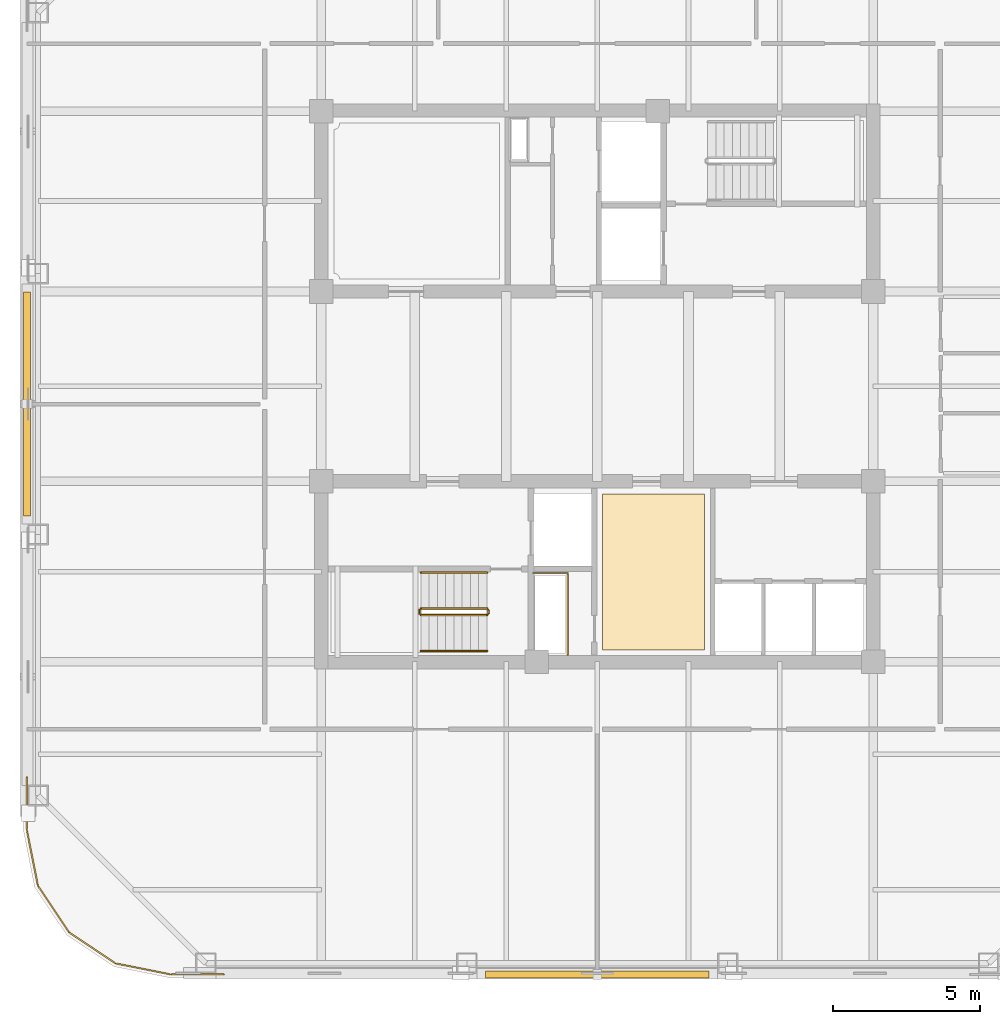
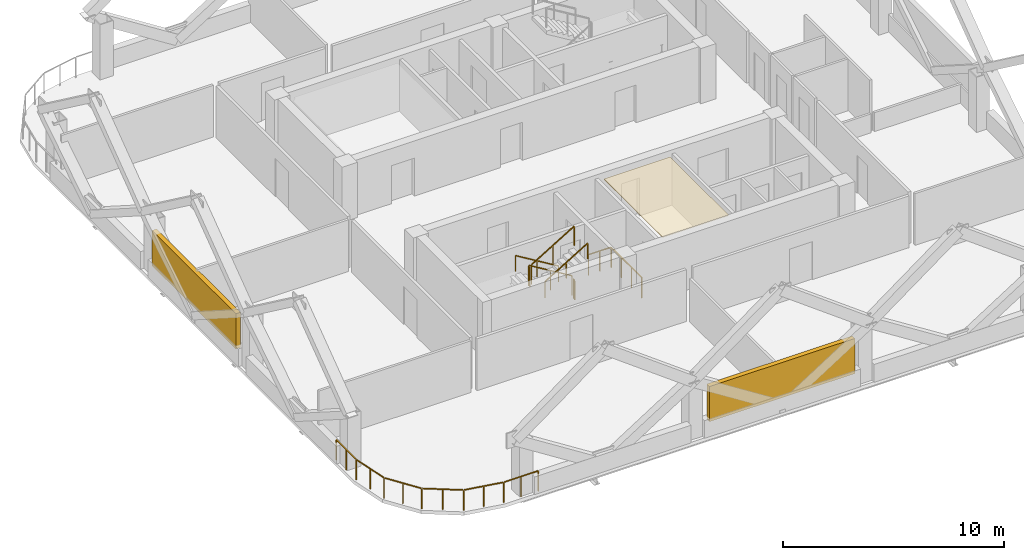
# One storey, part 6 of 8: 8 railings, 2 shading devices, 1 covering.
"""IFC4 building model written with IfcOpenShell, lengths in metres."""

from ifc_helpers import new_model, si_unit, direction, frame, origin, origin_2d, place, context, subcontext, project, spatial, polyline, rectangle, outline, extrude, material, layer, layer_set, type_object, element, save


model = new_model("IFC4")

# Units and contexts
model_context = context("Model", 3, precision=1e-05, world=origin(), true_north=direction((0.0, 1.0)))
body_context = subcontext(model_context, "Body", "Model", "MODEL_VIEW")
ifc_project = project(units=[si_unit("LENGTHUNIT", "METRE"), si_unit("AREAUNIT", "SQUARE_METRE"), si_unit("VOLUMEUNIT", "CUBIC_METRE"), si_unit("PLANEANGLEUNIT", "RADIAN"), si_unit("MASSUNIT", "GRAM", prefix="KILO")], contexts=[model_context])

# Site, building, storey
site_placement = place(None, origin())
site = spatial("IfcSite", under=ifc_project, at=site_placement, CompositionType="ELEMENT")
building_placement = place(site_placement, origin())
building = spatial("IfcBuilding", under=site, at=building_placement, Name="Qhalaya Broadcast Tower", CompositionType="ELEMENT")
storey_placement = place(building_placement, frame((0.0, 0.0, 223.89990234375)))
storey = spatial("IfcBuildingStorey", under=building, at=storey_placement, Name="L66", CompositionType="ELEMENT", Elevation=223.89990234375)

# Covering
ifc_material_1 = material(Name="Acoustic Mineral-Fibre Ceiling")
ifc_layer = layer(ifc_material_1, 0.0400390625, Name="Acoustic Mineral-Fibre Ceiling")
ifc_layer_set = layer_set([ifc_layer], Name="Acoustic Mineral-Fibre Ceiling")
covering_type = type_object("IfcCoveringType", Name="Acoustic Mineral-Fibre Suspended Ceiling CLG-01", PredefinedType="CEILING", material=ifc_layer_set)
covering_placement = place(storey_placement, frame((0.0, 0.0, 2.820068359375)))
element("IfcCovering", 1, at=covering_placement, inside=storey, type_object=covering_type, Name="L66 Acoustic Suspended Ceiling 02", PredefinedType="CEILING", context=body_context, shape_type="SweptSolid", body=[
    extrude(outline(polyline([(0.179931640625, -3.050048828125), (0.179931640625, -8.35009765625), (3.639892578125, -8.35009765625), (3.639892578125, -3.050048828125), (0.179931640625, -3.050048828125)])), origin(), (0.0, 0.0, 1.0), 0.0400390625),
])

# Railings
ifc_material_2 = material(Name="Powder-Coated Galvanised Steel", Category="steel")
railing_type_1 = type_object("IfcRailingType", Name="Stair Wall Handrail 900", PredefinedType="HANDRAIL", material=ifc_material_2)
railing_1_placement = place(storey_placement, frame((-3.75, -5.72998046875, 0.16943359375)))
element("IfcRailing", 2, at=railing_1_placement, inside=storey, type_object=railing_type_1, Name="L66 ST-2 Stair Handrail 1", PredefinedType="HANDRAIL", context=body_context, shape_type="SweptSolid", body=[
    extrude(rectangle(XDim=0.048095703125, YDim=0.048095703125, at=origin_2d()), frame((0.0, 0.0, 0.8759765625), z_axis=(-0.855512035549, 0.0, 0.517782924622), x_axis=(0.0, -1.0, 0.0)), (0.0, 0.0, 1.0), 2.618408203125),
    extrude(rectangle(XDim=0.0419921875, YDim=0.0419921875, at=origin_2d()), origin(), (0.0, 0.0, 1.0), 0.849853515625),
    extrude(rectangle(XDim=0.0419921875, YDim=0.0419921875, at=origin_2d()), frame((-1.1201171875, 0.0, 0.677734375)), (0.0, 0.0, 1.0), 0.849853515625),
    extrude(rectangle(XDim=0.0419921875, YDim=0.0419921875, at=origin_2d()), frame((-2.239990234375, 0.0, 1.355712890625)), (0.0, 0.0, 1.0), 0.849853515625),
])
railing_2_placement = place(storey_placement, frame((-5.989990234375, -8.389892578125, 1.694580078125)))
element("IfcRailing", 3, at=railing_2_placement, inside=storey, type_object=railing_type_1, Name="L66 ST-2 Stair Handrail 2", PredefinedType="HANDRAIL", context=body_context, shape_type="SweptSolid", body=[
    extrude(rectangle(XDim=0.048095703125, YDim=0.048095703125, at=origin_2d()), frame((0.0, 0.0, 0.8759765625), z_axis=(0.855553338991, 0.0, 0.51771467445), x_axis=(0.0, 1.0, 0.0)), (0.0, 0.0, 1.0), 2.6181640625),
    extrude(rectangle(XDim=0.0419921875, YDim=0.0419921875, at=origin_2d()), origin(), (0.0, 0.0, 1.0), 0.849853515625),
    extrude(rectangle(XDim=0.0419921875, YDim=0.0419921875, at=origin_2d()), frame((1.1201171875, 0.0, 0.677734375)), (0.0, 0.0, 1.0), 0.849853515625),
    extrude(rectangle(XDim=0.0419921875, YDim=0.0419921875, at=origin_2d()), frame((2.239990234375, 0.0, 1.35546875)), (0.0, 0.0, 1.0), 0.849853515625),
])
railing_type_2 = type_object("IfcRailingType", Name="Stair Well & Landing Guardrail 1100", PredefinedType="GUARDRAIL", material=ifc_material_2)
railing_3_placement = place(storey_placement, frame((-1.0, -8.52001953125, 0.0)))
element("IfcRailing", 4, at=railing_3_placement, inside=storey, type_object=railing_type_2, Name="L66 Service Riser Opening Safety Guard SRSR", PredefinedType="GUARDRAIL", context=body_context, shape_type="SweptSolid", body=[
    extrude(rectangle(XDim=0.048095703125, YDim=0.048095703125, at=origin_2d()), frame((0.0, 0.0, 1.1259765625), z_axis=(0.0, 1.0, 0.0), x_axis=(-1.0, 0.0, 0.0)), (0.0, 0.0, 1.0), 2.751220703125),
    extrude(rectangle(XDim=0.048095703125, YDim=0.048095703125, at=origin_2d()), frame((-0.02880859375, 2.780029296875, 1.1259765625), z_axis=(-1.0, 0.0, 0.0), x_axis=(0.0, -1.0, 0.0)), (0.0, 0.0, 1.0), 1.151123046875),
    extrude(rectangle(XDim=0.0419921875, YDim=0.0419921875, at=origin_2d()), origin(), (0.0, 0.0, 1.0), 1.099853515625),
    extrude(rectangle(XDim=0.0419921875, YDim=0.0419921875, at=origin_2d()), frame((0.0, 0.9267578125, 0.0)), (0.0, 0.0, 1.0), 1.099853515625),
    extrude(rectangle(XDim=0.0419921875, YDim=0.0419921875, at=origin_2d()), frame((0.0, 1.853271484375, 0.0)), (0.0, 0.0, 1.0), 1.099853515625),
    extrude(rectangle(XDim=0.0419921875, YDim=0.0419921875, at=origin_2d()), frame((0.0, 2.780029296875, 0.0)), (0.0, 0.0, 1.0), 1.099853515625),
    extrude(rectangle(XDim=0.0419921875, YDim=0.0419921875, at=origin_2d()), frame((-0.58984375, 2.780029296875, 0.0)), (0.0, 0.0, 1.0), 1.099853515625),
    extrude(rectangle(XDim=0.0419921875, YDim=0.0419921875, at=origin_2d()), frame((-1.179931640625, 2.780029296875, 0.0)), (0.0, 0.0, 1.0), 1.099853515625),
])
railing_4_placement = place(storey_placement, frame((-3.75, -6.949951171875, 0.16943359375)))
element("IfcRailing", 5, at=railing_4_placement, inside=storey, type_object=railing_type_2, Name="L66 ST-2 Stair Guard 1", PredefinedType="GUARDRAIL", context=body_context, shape_type="SweptSolid", body=[
    extrude(rectangle(XDim=0.048095703125, YDim=0.048095703125, at=origin_2d()), frame((0.0, 0.0, 1.076171875), z_axis=(-0.855512035549, 0.0, 0.517782924622), x_axis=(0.0, -1.0, 0.0)), (0.0, 0.0, 1.0), 2.618408203125),
    extrude(rectangle(XDim=0.0419921875, YDim=0.0419921875, at=origin_2d()), origin(), (0.0, 0.0, 1.0), 1.050048828125),
    extrude(rectangle(XDim=0.0419921875, YDim=0.0419921875, at=origin_2d()), frame((-1.1201171875, 0.0, 0.677734375)), (0.0, 0.0, 1.0), 1.050048828125),
    extrude(rectangle(XDim=0.0419921875, YDim=0.0419921875, at=origin_2d()), frame((-2.239990234375, 0.0, 1.355712890625)), (0.0, 0.0, 1.0), 1.050048828125),
])
railing_5_placement = place(storey_placement, frame((-6.0400390625, -7.0, 1.525146484375)))
element("IfcRailing", 6, at=railing_5_placement, inside=storey, type_object=railing_type_2, Name="L66 ST-2 Stair Guard 2", PredefinedType="GUARDRAIL", context=body_context, shape_type="SweptSolid", body=[
    extrude(rectangle(XDim=0.048095703125, YDim=0.048095703125, at=origin_2d()), frame((0.0, 0.0, 1.076171875), z_axis=(0.0, -1.0, 0.0), x_axis=(1.0, 0.0, 0.0)), (0.0, 0.0, 1.0), 0.1201171875),
    extrude(rectangle(XDim=0.0419921875, YDim=0.0419921875, at=origin_2d()), origin(), (0.0, 0.0, 1.0), 1.050048828125),
    extrude(rectangle(XDim=0.0419921875, YDim=0.0419921875, at=origin_2d()), frame((0.0, -0.1201171875, 0.0)), (0.0, 0.0, 1.0), 1.050048828125),
])
railing_6_placement = place(storey_placement, frame((-5.989990234375, -7.169921875, 1.694580078125)))
element("IfcRailing", 7, at=railing_6_placement, inside=storey, type_object=railing_type_2, Name="L66 ST-2 Stair Guard 3", PredefinedType="GUARDRAIL", context=body_context, shape_type="SweptSolid", body=[
    extrude(rectangle(XDim=0.048095703125, YDim=0.048095703125, at=origin_2d()), frame((0.0, 0.0, 1.076171875), z_axis=(0.855553338991, 0.0, 0.51771467445), x_axis=(0.0, 1.0, 0.0)), (0.0, 0.0, 1.0), 2.6181640625),
    extrude(rectangle(XDim=0.0419921875, YDim=0.0419921875, at=origin_2d()), origin(), (0.0, 0.0, 1.0), 1.050048828125),
    extrude(rectangle(XDim=0.0419921875, YDim=0.0419921875, at=origin_2d()), frame((1.1201171875, 0.0, 0.677734375)), (0.0, 0.0, 1.0), 1.050048828125),
    extrude(rectangle(XDim=0.0419921875, YDim=0.0419921875, at=origin_2d()), frame((2.239990234375, 0.0, 1.35546875)), (0.0, 0.0, 1.0), 1.050048828125),
])
railing_7_placement = place(storey_placement, frame((-3.699951171875, -7.0, 0.0)))
element("IfcRailing", 8, at=railing_7_placement, inside=storey, type_object=railing_type_2, Name="L66 ST-2 Stair Guard 4", PredefinedType="GUARDRAIL", context=body_context, shape_type="SweptSolid", body=[
    extrude(rectangle(XDim=0.048095703125, YDim=0.048095703125, at=origin_2d()), frame((0.0, 0.0, 1.076171875), z_axis=(0.0, -1.0, 0.0), x_axis=(1.0, 0.0, 0.0)), (0.0, 0.0, 1.0), 0.1201171875),
    extrude(rectangle(XDim=0.0419921875, YDim=0.0419921875, at=origin_2d()), origin(), (0.0, 0.0, 1.0), 1.050048828125),
    extrude(rectangle(XDim=0.0419921875, YDim=0.0419921875, at=origin_2d()), frame((0.0, -0.1201171875, 0.0)), (0.0, 0.0, 1.0), 1.050048828125),
])
railing_type_3 = type_object("IfcRailingType", Name="Terrace, Sky-Pool & Lookout Glass Balustrade 1150", PredefinedType="BALUSTRADE", material=ifc_material_2)
railing_8_placement = place(storey_placement, frame((-12.681884765625, -19.3798828125, 0.0)))
element("IfcRailing", 9, at=railing_8_placement, inside=storey, type_object=railing_type_3, Name="L66 Rounded Corner Perimeter Guard 02", PredefinedType="BALUSTRADE", context=body_context, shape_type="SweptSolid", body=[
    extrude(rectangle(XDim=0.048095703125, YDim=0.048095703125, at=origin_2d()), frame((0.0, 0.0, 1.1259765625), z_axis=(-1.0, 0.0, 0.0), x_axis=(0.0, -1.0, 0.0)), (0.0, 0.0, 1.0), 1.777587890625),
    extrude(rectangle(XDim=0.048095703125, YDim=0.048095703125, at=origin_2d()), frame((-1.834716796875, 0.005615234375, 1.1259765625), z_axis=(-0.980795810058, 0.195037378397, 0.0), x_axis=(-0.195037378397, -0.980795810058, 0.0)), (0.0, 0.0, 1.0), 1.857421875),
    extrude(rectangle(XDim=0.048095703125, YDim=0.048095703125, at=origin_2d()), frame((-3.708740234375, 0.3896484375, 1.1259765625), z_axis=(-0.831437950597, 0.555617615188, 0.0), x_axis=(-0.555617615188, -0.831437950597, 0.0)), (0.0, 0.0, 1.0), 1.845458984375),
    extrude(rectangle(XDim=0.048095703125, YDim=0.048095703125, at=origin_2d()), frame((-5.283203125, 1.454833984375, 1.1259765625), z_axis=(-0.555617615188, 0.831437950597, 0.0), x_axis=(-0.831437950597, -0.555617615188, 0.0)), (0.0, 0.0, 1.0), 1.845458984375),
    extrude(rectangle(XDim=0.048095703125, YDim=0.048095703125, at=origin_2d()), frame((-6.330078125, 3.04150390625, 1.1259765625), z_axis=(-0.195037378397, 0.980795810058, 0.0), x_axis=(-0.980795810058, -0.195037378397, 0.0)), (0.0, 0.0, 1.0), 1.857421875),
    extrude(rectangle(XDim=0.048095703125, YDim=0.048095703125, at=origin_2d()), frame((-6.697998046875, 4.92041015625, 1.1259765625), z_axis=(0.0, 1.0, 0.0), x_axis=(-1.0, 0.0, 0.0)), (0.0, 0.0, 1.0), 1.777587890625),
    extrude(rectangle(XDim=0.0419921875, YDim=0.0419921875, at=origin_2d()), origin(), (0.0, 0.0, 1.0), 1.099853515625),
    extrude(rectangle(XDim=0.0419921875, YDim=0.0419921875, at=origin_2d()), frame((-0.9033203125, 0.0, 0.0)), (0.0, 0.0, 1.0), 1.099853515625),
    extrude(rectangle(XDim=0.0419921875, YDim=0.0419921875, at=origin_2d()), frame((-1.806396484375, 0.0, 0.0)), (0.0, 0.0, 1.0), 1.099853515625),
    extrude(rectangle(XDim=0.0419921875, YDim=0.0419921875, at=origin_2d()), frame((-2.74560546875, 0.186767578125, 0.0)), (0.0, 0.0, 1.0), 1.099853515625),
    extrude(rectangle(XDim=0.0419921875, YDim=0.0419921875, at=origin_2d()), frame((-3.684814453125, 0.37353515625, 0.0)), (0.0, 0.0, 1.0), 1.099853515625),
    extrude(rectangle(XDim=0.0419921875, YDim=0.0419921875, at=origin_2d()), frame((-4.47607421875, 0.90234375, 0.0)), (0.0, 0.0, 1.0), 1.099853515625),
    extrude(rectangle(XDim=0.0419921875, YDim=0.0419921875, at=origin_2d()), frame((-5.26708984375, 1.430908203125, 0.0)), (0.0, 0.0, 1.0), 1.099853515625),
    extrude(rectangle(XDim=0.0419921875, YDim=0.0419921875, at=origin_2d()), frame((-5.7958984375, 2.22216796875, 0.0)), (0.0, 0.0, 1.0), 1.099853515625),
    extrude(rectangle(XDim=0.0419921875, YDim=0.0419921875, at=origin_2d()), frame((-6.324462890625, 3.01318359375, 0.0)), (0.0, 0.0, 1.0), 1.099853515625),
    extrude(rectangle(XDim=0.0419921875, YDim=0.0419921875, at=origin_2d()), frame((-6.51123046875, 3.952392578125, 0.0)), (0.0, 0.0, 1.0), 1.099853515625),
    extrude(rectangle(XDim=0.0419921875, YDim=0.0419921875, at=origin_2d()), frame((-6.697998046875, 4.8916015625, 0.0)), (0.0, 0.0, 1.0), 1.099853515625),
    extrude(rectangle(XDim=0.0419921875, YDim=0.0419921875, at=origin_2d()), frame((-6.697998046875, 5.794921875, 0.0)), (0.0, 0.0, 1.0), 1.099853515625),
    extrude(rectangle(XDim=0.0419921875, YDim=0.0419921875, at=origin_2d()), frame((-6.697998046875, 6.697998046875, 0.0)), (0.0, 0.0, 1.0), 1.099853515625),
])

# Shading devices
ifc_material_3 = material(Name="Fired Architectural Terracotta", Category="masonry")
shading_device_type = type_object("IfcShadingDeviceType", Name="Terracotta Baguette Solar Screen Assembly TBS-01", PredefinedType="USERDEFINED", material=ifc_material_3)
for number, where, z_axis, x_axis, name in (
    (10, (0.0, -19.3798828125, 0.80078125), (0.0, 0.0, 1.0), (1.0, 0.0, 0.0), "L66 Fired Terracotta Baguette Screen S"),
    (11, (-19.3798828125, 0.0, 0.80078125), (0.0, 0.0, 1.0), (0.0, -1.0, 0.0), "L66 Fired Terracotta Baguette Screen W"),
):
    element("IfcShadingDevice", number, at=place(storey_placement, frame(where, z_axis=z_axis, x_axis=x_axis)), inside=storey, type_object=shading_device_type, Name=name, ObjectType="BAGUETTE", PredefinedType="USERDEFINED", context=body_context, shape_type="SweptSolid", body=[
        extrude(rectangle(XDim=7.60009765625, YDim=0.239990234375, at=origin_2d()), origin(), (0.0, 0.0, 1.0), 1.945068359375),
    ])

save(model, "model.ifc")
